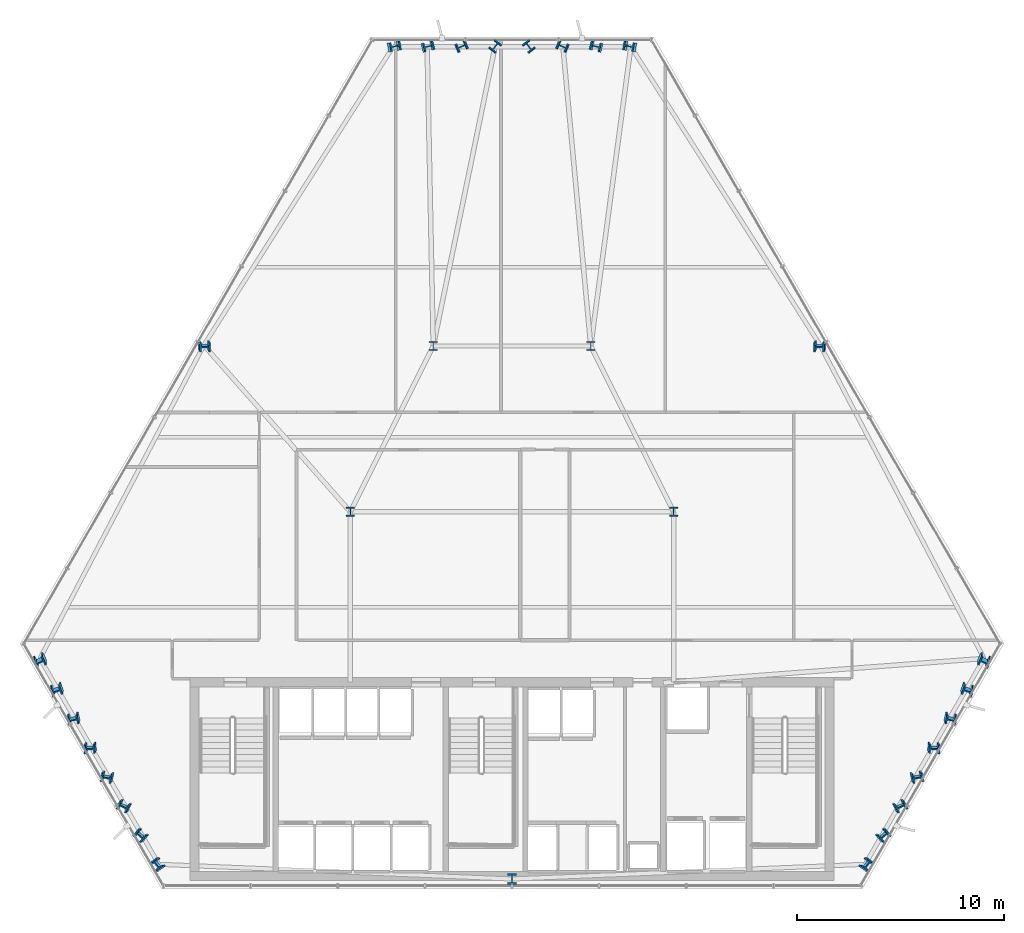
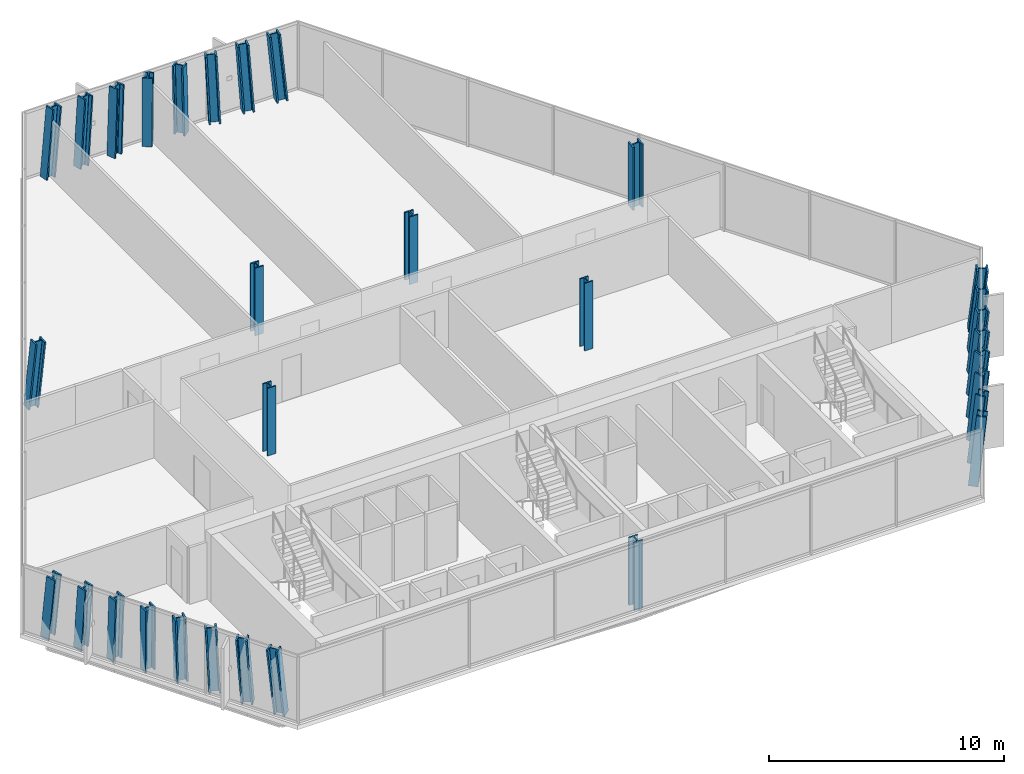
# One storey, part 1 of 31: 31 columns.
"""IFC4 building model written with IfcOpenShell, lengths in metres."""

from ifc_helpers import new_model, si_unit, direction, frame, origin, origin_2d, place, context, subcontext, project, spatial, i_section, extrude, material, material_profile, profile_set, type_object, element, save


model = new_model("IFC4")

# Units and contexts
model_context = context("Model", 3, precision=1e-05, world=origin(), true_north=direction((0.0, 1.0)))
body_context = subcontext(model_context, "Body", "Model", "MODEL_VIEW")
ifc_project = project(units=[si_unit("LENGTHUNIT", "METRE"), si_unit("AREAUNIT", "SQUARE_METRE"), si_unit("VOLUMEUNIT", "CUBIC_METRE"), si_unit("PLANEANGLEUNIT", "RADIAN"), si_unit("MASSUNIT", "GRAM", prefix="KILO")], contexts=[model_context])

# Site, building, storey
site_placement = place(None, origin())
site = spatial("IfcSite", under=ifc_project, at=site_placement, CompositionType="ELEMENT")
building_placement = place(site_placement, origin())
building = spatial("IfcBuilding", under=site, at=building_placement, Name="Ndaravel Arena Tower", CompositionType="ELEMENT")
storey_placement = place(building_placement, frame((0.0, 0.0, 108.199951171875)))
storey = spatial("IfcBuildingStorey", under=building, at=storey_placement, Name="L25", CompositionType="ELEMENT", Elevation=108.199951171875)

# Columns
ifc_material_1 = material(Name="Steel S460", Category="steel")
ifc_material_profile_1 = material_profile(ifc_material_1, i_section(OverallWidth=0.41845703125, OverallDepth=0.45556640625, WebThickness=0.0419921875, FlangeThickness=0.0673828125, FilletRadius=0.01513671875, at=origin_2d()), Name="UC 356x406x551")
ifc_profile_set_1 = profile_set([ifc_material_profile_1], Name="Steel S460")
column_type_1 = type_object("IfcColumnType", Name="COL-INT-UC551", PredefinedType="COLUMN", material=ifc_profile_set_1)
for number, where, z_axis, x_axis, name in (
    (1, (34.199951171875, 23.199951171875, 0.0), (0.0, 0.0, 1.0), (1.0, 0.0, 0.0), "L25 Interior Spine Column IC-01"),
    (2, (49.800048828125, 23.199951171875, 0.0), (0.0, 0.0, 1.0), (1.0, 0.0, 0.0), "L25 Interior Spine Column IC-02"),
    (3, (38.199951171875, 31.199951171875, 0.0), (0.0, 0.0, 1.0), (1.0, 0.0, 0.0), "L25 Interior Spine Column IC-03"),
    (4, (45.800048828125, 31.199951171875, 0.0), (0.0, 0.0, 1.0), (1.0, 0.0, 0.0), "L25 Interior Spine Column IC-04"),
):
    element("IfcColumn", number, at=place(storey_placement, frame(where, z_axis=z_axis, x_axis=x_axis)), inside=storey, type_object=column_type_1, Name=name, PredefinedType="COLUMN", context=body_context, shape_type="SweptSolid", body=[
        extrude(i_section(OverallWidth=0.41845703125, OverallDepth=0.45556640625, WebThickness=0.0419921875, FlangeThickness=0.0673828125, FilletRadius=0.01513671875, at=origin_2d()), origin(), (0.0, 0.0, 1.0), 3.52001953125),
    ])
ifc_material_2 = material(Name="Steel S460", Category="steel")
ifc_material_profile_2 = material_profile(ifc_material_2, i_section(OverallWidth=0.43701171875, OverallDepth=0.513916015625, WebThickness=0.060546875, FlangeThickness=0.076904296875, FilletRadius=0.014892578125, at=origin_2d()), Name="HD 400x818")
ifc_profile_set_2 = profile_set([ifc_material_profile_2], Name="Steel S460")
column_type_2 = type_object("IfcColumnType", Name="COL-TUBE-HD818", PredefinedType="COLUMN", material=ifc_profile_set_2)
column_1_placement = place(storey_placement, frame((42.0, 5.47998046875, 0.0), z_axis=(0.0, 0.0, 1.0), x_axis=(1.0, 0.0, 0.0)))
element("IfcColumn", 5, at=column_1_placement, inside=storey, type_object=column_type_2, Name="L25 Framed Tube Column TC-01", PredefinedType="COLUMN", context=body_context, shape_type="SweptSolid", body=[
    extrude(i_section(OverallWidth=0.43701171875, OverallDepth=0.513916015625, WebThickness=0.060546875, FlangeThickness=0.076904296875, FilletRadius=0.014892578125, at=origin_2d()), origin(), (0.0, 0.0, 1.0), 3.52001953125),
])
column_2_placement = place(storey_placement, frame((59.04296875, 6.189697265625, 0.0), z_axis=(0.110900524315, -0.011717271059, 0.993762436031), x_axis=(-0.803324310998, 0.587658817519, 0.096577251725)))
element("IfcColumn", 6, at=column_2_placement, inside=storey, type_object=column_type_2, Name="L25 Framed Tube Column TC-02", PredefinedType="COLUMN", context=body_context, shape_type="SweptSolid", body=[
    extrude(i_section(OverallWidth=0.43701171875, OverallDepth=0.513916015625, WebThickness=0.060546875, FlangeThickness=0.076904296875, FilletRadius=0.014892578125, at=origin_2d()), origin(), (0.0, 0.0, 1.0), 3.5419921875),
])
column_3_placement = place(storey_placement, frame((59.8623046875, 7.608642578125, 0.0), z_axis=(0.0975438825, -0.034975069609, 0.994616476584), x_axis=(-0.642059401793, 0.761384381367, 0.089741564398)))
element("IfcColumn", 7, at=column_3_placement, inside=storey, type_object=column_type_2, Name="L25 Framed Tube Column TC-03", PredefinedType="COLUMN", context=body_context, shape_type="SweptSolid", body=[
    extrude(i_section(OverallWidth=0.43701171875, OverallDepth=0.513916015625, WebThickness=0.060546875, FlangeThickness=0.076904296875, FilletRadius=0.014892578125, at=origin_2d()), origin(), (0.0, 0.0, 1.0), 3.5390625),
])
column_4_placement = place(storey_placement, frame((60.681640625, 9.02783203125, 0.0), z_axis=(0.084102893328, -0.058368373876, 0.994746116487), x_axis=(-0.422655646103, 0.901943502674, 0.088657333601)))
element("IfcColumn", 8, at=column_4_placement, inside=storey, type_object=column_type_2, Name="L25 Framed Tube Column TC-04", PredefinedType="COLUMN", context=body_context, shape_type="SweptSolid", body=[
    extrude(i_section(OverallWidth=0.43701171875, OverallDepth=0.513916015625, WebThickness=0.060546875, FlangeThickness=0.076904296875, FilletRadius=0.014892578125, at=origin_2d()), origin(), (0.0, 0.0, 1.0), 3.53857421875),
])
column_5_placement = place(storey_placement, frame((61.5009765625, 10.44677734375, 0.0), z_axis=(0.070539187226, -0.081571709177, 0.994168134335), x_axis=(-0.184962847844, 0.97829773301, 0.093393203738)))
element("IfcColumn", 9, at=column_5_placement, inside=storey, type_object=column_type_2, Name="L25 Framed Tube Column TC-05", PredefinedType="COLUMN", context=body_context, shape_type="SweptSolid", body=[
    extrude(i_section(OverallWidth=0.43701171875, OverallDepth=0.513916015625, WebThickness=0.060546875, FlangeThickness=0.076904296875, FilletRadius=0.014892578125, at=origin_2d()), origin(), (0.0, 0.0, 1.0), 3.540771484375),
])
column_6_placement = place(storey_placement, frame((62.3203125, 11.865966796875, 0.0), z_axis=(0.057018391057, -0.104740305311, 0.992863722534), x_axis=(0.028033854461, 0.994257452397, 0.103277400028)))
element("IfcColumn", 10, at=column_6_placement, inside=storey, type_object=column_type_2, Name="L25 Framed Tube Column TC-06", PredefinedType="COLUMN", context=body_context, shape_type="SweptSolid", body=[
    extrude(i_section(OverallWidth=0.43701171875, OverallDepth=0.513916015625, WebThickness=0.060546875, FlangeThickness=0.076904296875, FilletRadius=0.014892578125, at=origin_2d()), origin(), (0.0, 0.0, 1.0), 3.54541015625),
])
column_7_placement = place(storey_placement, frame((63.139404296875, 13.284912109375, 0.0), z_axis=(0.043570760705, -0.127688443832, 0.990856826249), x_axis=(0.196088913987, 0.973600059267, 0.116842040411)))
element("IfcColumn", 11, at=column_7_placement, inside=storey, type_object=column_type_2, Name="L25 Framed Tube Column TC-07", PredefinedType="COLUMN", context=body_context, shape_type="SweptSolid", body=[
    extrude(i_section(OverallWidth=0.43701171875, OverallDepth=0.513916015625, WebThickness=0.060546875, FlangeThickness=0.076904296875, FilletRadius=0.014892578125, at=origin_2d()), origin(), (0.0, 0.0, 1.0), 3.552490234375),
])
column_8_placement = place(storey_placement, frame((63.958740234375, 14.7041015625, 0.0), z_axis=(0.030086971203, -0.1505719265, 0.988141118016), x_axis=(0.322626983526, 0.937138720434, 0.132976870788)))
element("IfcColumn", 12, at=column_8_placement, inside=storey, type_object=column_type_2, Name="L25 Framed Tube Column TC-08", PredefinedType="COLUMN", context=body_context, shape_type="SweptSolid", body=[
    extrude(i_section(OverallWidth=0.43701171875, OverallDepth=0.513916015625, WebThickness=0.060546875, FlangeThickness=0.076904296875, FilletRadius=0.014892578125, at=origin_2d()), origin(), (0.0, 0.0, 1.0), 3.562255859375),
])
column_9_placement = place(storey_placement, frame((64.778076171875, 16.123291015625, 0.0), z_axis=(0.016597028871, -0.173141844397, 0.984757046358), x_axis=(0.416341492097, 0.896643514571, 0.150632565325)))
element("IfcColumn", 13, at=column_9_placement, inside=storey, type_object=column_type_2, Name="L25 Framed Tube Column TC-09", PredefinedType="COLUMN", context=body_context, shape_type="SweptSolid", body=[
    extrude(i_section(OverallWidth=0.43701171875, OverallDepth=0.513916015625, WebThickness=0.060546875, FlangeThickness=0.076904296875, FilletRadius=0.014892578125, at=origin_2d()), origin(), (0.0, 0.0, 1.0), 3.574462890625),
])
column_10_placement = place(storey_placement, frame((56.87109375, 31.23779296875, 0.0), z_axis=(-0.048869964322, -0.084694133084, 0.995207832771), x_axis=(-0.002324072786, 0.996405324901, 0.08468191775)))
element("IfcColumn", 14, at=column_10_placement, inside=storey, type_object=column_type_2, Name="L25 Framed Tube Column TC-10", PredefinedType="COLUMN", context=body_context, shape_type="SweptSolid", body=[
    extrude(i_section(OverallWidth=0.43701171875, OverallDepth=0.513916015625, WebThickness=0.060546875, FlangeThickness=0.076904296875, FilletRadius=0.014892578125, at=origin_2d()), origin(), (0.0, 0.0, 1.0), 3.536865234375),
])
column_11_placement = place(storey_placement, frame((47.7353515625, 45.642578125, 0.0), z_axis=(-0.094374458687, 0.017397486166, 0.995384744218), x_axis=(-0.181290600946, -0.983429569419, 0.0)))
element("IfcColumn", 15, at=column_11_placement, inside=storey, type_object=column_type_2, Name="L25 Framed Tube Column TC-11", PredefinedType="COLUMN", context=body_context, shape_type="SweptSolid", body=[
    extrude(i_section(OverallWidth=0.43701171875, OverallDepth=0.513916015625, WebThickness=0.060546875, FlangeThickness=0.076904296875, FilletRadius=0.014892578125, at=origin_2d()), origin(), (0.0, 0.0, 1.0), 3.536376953125),
])
column_12_placement = place(storey_placement, frame((46.0966796875, 45.642578125, 0.0), z_axis=(-0.067528328334, 0.017435592971, 0.997564997867), x_axis=(-0.249998031643, -0.968246344777, 0.0)))
element("IfcColumn", 16, at=column_12_placement, inside=storey, type_object=column_type_2, Name="L25 Framed Tube Column TC-12", PredefinedType="COLUMN", context=body_context, shape_type="SweptSolid", body=[
    extrude(i_section(OverallWidth=0.43701171875, OverallDepth=0.513916015625, WebThickness=0.060546875, FlangeThickness=0.076904296875, FilletRadius=0.014892578125, at=origin_2d()), origin(), (0.0, 0.0, 1.0), 3.528564453125),
])
column_13_placement = place(storey_placement, frame((44.4580078125, 45.642578125, 0.0), z_axis=(-0.040603920442, 0.017461071589, 0.999022738792), x_axis=(-0.395054211386, -0.918657809016, 0.0)))
element("IfcColumn", 17, at=column_13_placement, inside=storey, type_object=column_type_2, Name="L25 Framed Tube Column TC-13", PredefinedType="COLUMN", context=body_context, shape_type="SweptSolid", body=[
    extrude(i_section(OverallWidth=0.43701171875, OverallDepth=0.513916015625, WebThickness=0.060546875, FlangeThickness=0.076904296875, FilletRadius=0.014892578125, at=origin_2d()), origin(), (0.0, 0.0, 1.0), 3.5234375),
])
for number, where, z_axis, x_axis, name in (
    (18, (42.8193359375, 45.642578125, 0.0), (-0.013521459145, 0.017473885664, 0.999755886936), (-0.790870700464, -0.611983280121, 0.0), "L25 Framed Tube Column TC-14"),
    (19, (41.1806640625, 45.642578125, 0.0), (0.013521459145, 0.017473885664, 0.999755886936), (-0.790870700464, 0.611983280121, 0.0), "L25 Framed Tube Column TC-15"),
):
    element("IfcColumn", number, at=place(storey_placement, frame(where, z_axis=z_axis, x_axis=x_axis)), inside=storey, type_object=column_type_2, Name=name, PredefinedType="COLUMN", context=body_context, shape_type="SweptSolid", body=[
        extrude(i_section(OverallWidth=0.43701171875, OverallDepth=0.513916015625, WebThickness=0.060546875, FlangeThickness=0.076904296875, FilletRadius=0.014892578125, at=origin_2d()), origin(), (0.0, 0.0, 1.0), 3.52099609375),
    ])
column_14_placement = place(storey_placement, frame((39.5419921875, 45.642578125, 0.0), z_axis=(0.040603920442, 0.017461071589, 0.999022738792), x_axis=(-0.395054211386, 0.918657809016, 0.0)))
element("IfcColumn", 20, at=column_14_placement, inside=storey, type_object=column_type_2, Name="L25 Framed Tube Column TC-16", PredefinedType="COLUMN", context=body_context, shape_type="SweptSolid", body=[
    extrude(i_section(OverallWidth=0.43701171875, OverallDepth=0.513916015625, WebThickness=0.060546875, FlangeThickness=0.076904296875, FilletRadius=0.014892578125, at=origin_2d()), origin(), (0.0, 0.0, 1.0), 3.5234375),
])
column_15_placement = place(storey_placement, frame((37.9033203125, 45.642578125, 0.0), z_axis=(0.067528328334, 0.017435592971, 0.997564997867), x_axis=(-0.249998031643, 0.968246344777, 0.0)))
element("IfcColumn", 21, at=column_15_placement, inside=storey, type_object=column_type_2, Name="L25 Framed Tube Column TC-17", PredefinedType="COLUMN", context=body_context, shape_type="SweptSolid", body=[
    extrude(i_section(OverallWidth=0.43701171875, OverallDepth=0.513916015625, WebThickness=0.060546875, FlangeThickness=0.076904296875, FilletRadius=0.014892578125, at=origin_2d()), origin(), (0.0, 0.0, 1.0), 3.528564453125),
])
column_16_placement = place(storey_placement, frame((36.2646484375, 45.642578125, 0.0), z_axis=(0.094374458687, 0.017397486166, 0.995384744218), x_axis=(-0.181290600946, 0.983429569419, 0.0)))
element("IfcColumn", 22, at=column_16_placement, inside=storey, type_object=column_type_2, Name="L25 Framed Tube Column TC-18", PredefinedType="COLUMN", context=body_context, shape_type="SweptSolid", body=[
    extrude(i_section(OverallWidth=0.43701171875, OverallDepth=0.513916015625, WebThickness=0.060546875, FlangeThickness=0.076904296875, FilletRadius=0.014892578125, at=origin_2d()), origin(), (0.0, 0.0, 1.0), 3.536376953125),
])
column_17_placement = place(storey_placement, frame((27.12890625, 31.23779296875, 0.0), z_axis=(0.048869964322, -0.084694133084, 0.995207832771), x_axis=(0.002324072786, 0.996405324901, 0.08468191775)))
element("IfcColumn", 23, at=column_17_placement, inside=storey, type_object=column_type_2, Name="L25 Framed Tube Column TC-19", PredefinedType="COLUMN", context=body_context, shape_type="SweptSolid", body=[
    extrude(i_section(OverallWidth=0.43701171875, OverallDepth=0.513916015625, WebThickness=0.060546875, FlangeThickness=0.076904296875, FilletRadius=0.014892578125, at=origin_2d()), origin(), (0.0, 0.0, 1.0), 3.536865234375),
])
column_18_placement = place(storey_placement, frame((19.221923828125, 16.123291015625, 0.0), z_axis=(-0.016597028871, -0.173141844397, 0.984757046358), x_axis=(-0.416341492097, 0.896643514571, 0.150632565325)))
element("IfcColumn", 24, at=column_18_placement, inside=storey, type_object=column_type_2, Name="L25 Framed Tube Column TC-20", PredefinedType="COLUMN", context=body_context, shape_type="SweptSolid", body=[
    extrude(i_section(OverallWidth=0.43701171875, OverallDepth=0.513916015625, WebThickness=0.060546875, FlangeThickness=0.076904296875, FilletRadius=0.014892578125, at=origin_2d()), origin(), (0.0, 0.0, 1.0), 3.574462890625),
])
column_19_placement = place(storey_placement, frame((20.041259765625, 14.7041015625, 0.0), z_axis=(-0.030086971203, -0.1505719265, 0.988141118016), x_axis=(-0.322626983526, 0.937138720434, 0.132976870788)))
element("IfcColumn", 25, at=column_19_placement, inside=storey, type_object=column_type_2, Name="L25 Framed Tube Column TC-21", PredefinedType="COLUMN", context=body_context, shape_type="SweptSolid", body=[
    extrude(i_section(OverallWidth=0.43701171875, OverallDepth=0.513916015625, WebThickness=0.060546875, FlangeThickness=0.076904296875, FilletRadius=0.014892578125, at=origin_2d()), origin(), (0.0, 0.0, 1.0), 3.562255859375),
])
column_20_placement = place(storey_placement, frame((20.860595703125, 13.284912109375, 0.0), z_axis=(-0.043570760705, -0.127688443832, 0.990856826249), x_axis=(-0.196088913987, 0.973600059267, 0.116842040411)))
element("IfcColumn", 26, at=column_20_placement, inside=storey, type_object=column_type_2, Name="L25 Framed Tube Column TC-22", PredefinedType="COLUMN", context=body_context, shape_type="SweptSolid", body=[
    extrude(i_section(OverallWidth=0.43701171875, OverallDepth=0.513916015625, WebThickness=0.060546875, FlangeThickness=0.076904296875, FilletRadius=0.014892578125, at=origin_2d()), origin(), (0.0, 0.0, 1.0), 3.552490234375),
])
column_21_placement = place(storey_placement, frame((21.6796875, 11.865966796875, 0.0), z_axis=(-0.057018391057, -0.104740305311, 0.992863722534), x_axis=(-0.028033854461, 0.994257452397, 0.103277400028)))
element("IfcColumn", 27, at=column_21_placement, inside=storey, type_object=column_type_2, Name="L25 Framed Tube Column TC-23", PredefinedType="COLUMN", context=body_context, shape_type="SweptSolid", body=[
    extrude(i_section(OverallWidth=0.43701171875, OverallDepth=0.513916015625, WebThickness=0.060546875, FlangeThickness=0.076904296875, FilletRadius=0.014892578125, at=origin_2d()), origin(), (0.0, 0.0, 1.0), 3.54541015625),
])
column_22_placement = place(storey_placement, frame((22.4990234375, 10.44677734375, 0.0), z_axis=(-0.070539187226, -0.081571709177, 0.994168134335), x_axis=(0.184962847844, 0.97829773301, 0.093393203738)))
element("IfcColumn", 28, at=column_22_placement, inside=storey, type_object=column_type_2, Name="L25 Framed Tube Column TC-24", PredefinedType="COLUMN", context=body_context, shape_type="SweptSolid", body=[
    extrude(i_section(OverallWidth=0.43701171875, OverallDepth=0.513916015625, WebThickness=0.060546875, FlangeThickness=0.076904296875, FilletRadius=0.014892578125, at=origin_2d()), origin(), (0.0, 0.0, 1.0), 3.540771484375),
])
column_23_placement = place(storey_placement, frame((23.318359375, 9.02783203125, 0.0), z_axis=(-0.084102893328, -0.058368373876, 0.994746116487), x_axis=(0.422655646103, 0.901943502674, 0.088657333601)))
element("IfcColumn", 29, at=column_23_placement, inside=storey, type_object=column_type_2, Name="L25 Framed Tube Column TC-25", PredefinedType="COLUMN", context=body_context, shape_type="SweptSolid", body=[
    extrude(i_section(OverallWidth=0.43701171875, OverallDepth=0.513916015625, WebThickness=0.060546875, FlangeThickness=0.076904296875, FilletRadius=0.014892578125, at=origin_2d()), origin(), (0.0, 0.0, 1.0), 3.53857421875),
])
column_24_placement = place(storey_placement, frame((24.1376953125, 7.608642578125, 0.0), z_axis=(-0.0975438825, -0.034975069609, 0.994616476584), x_axis=(0.642059401793, 0.761384381367, 0.089741564398)))
element("IfcColumn", 30, at=column_24_placement, inside=storey, type_object=column_type_2, Name="L25 Framed Tube Column TC-26", PredefinedType="COLUMN", context=body_context, shape_type="SweptSolid", body=[
    extrude(i_section(OverallWidth=0.43701171875, OverallDepth=0.513916015625, WebThickness=0.060546875, FlangeThickness=0.076904296875, FilletRadius=0.014892578125, at=origin_2d()), origin(), (0.0, 0.0, 1.0), 3.5390625),
])
column_25_placement = place(storey_placement, frame((24.95703125, 6.189697265625, 0.0), z_axis=(-0.110900524315, -0.011717271059, 0.993762436031), x_axis=(0.803324310998, 0.587658817519, 0.096577251725)))
element("IfcColumn", 31, at=column_25_placement, inside=storey, type_object=column_type_2, Name="L25 Framed Tube Column TC-27", PredefinedType="COLUMN", context=body_context, shape_type="SweptSolid", body=[
    extrude(i_section(OverallWidth=0.43701171875, OverallDepth=0.513916015625, WebThickness=0.060546875, FlangeThickness=0.076904296875, FilletRadius=0.014892578125, at=origin_2d()), origin(), (0.0, 0.0, 1.0), 3.5419921875),
])

save(model, "model.ifc")
